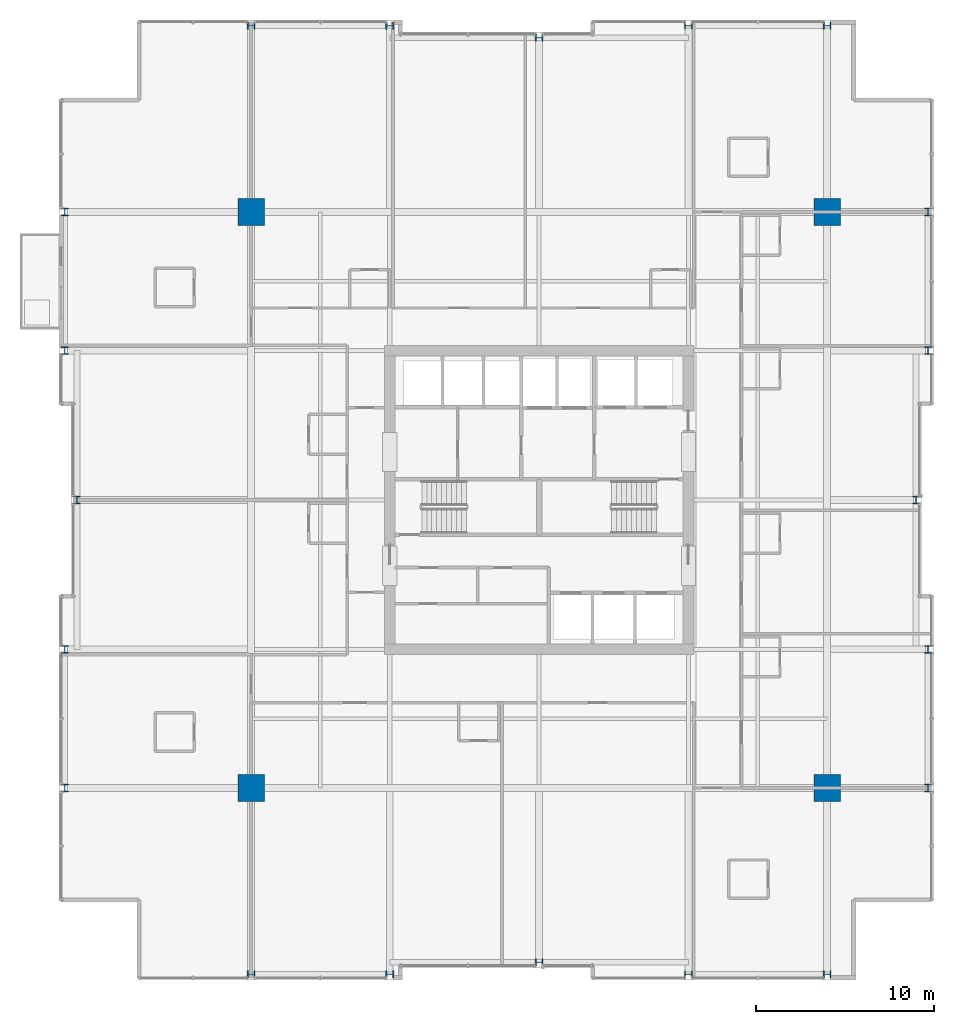
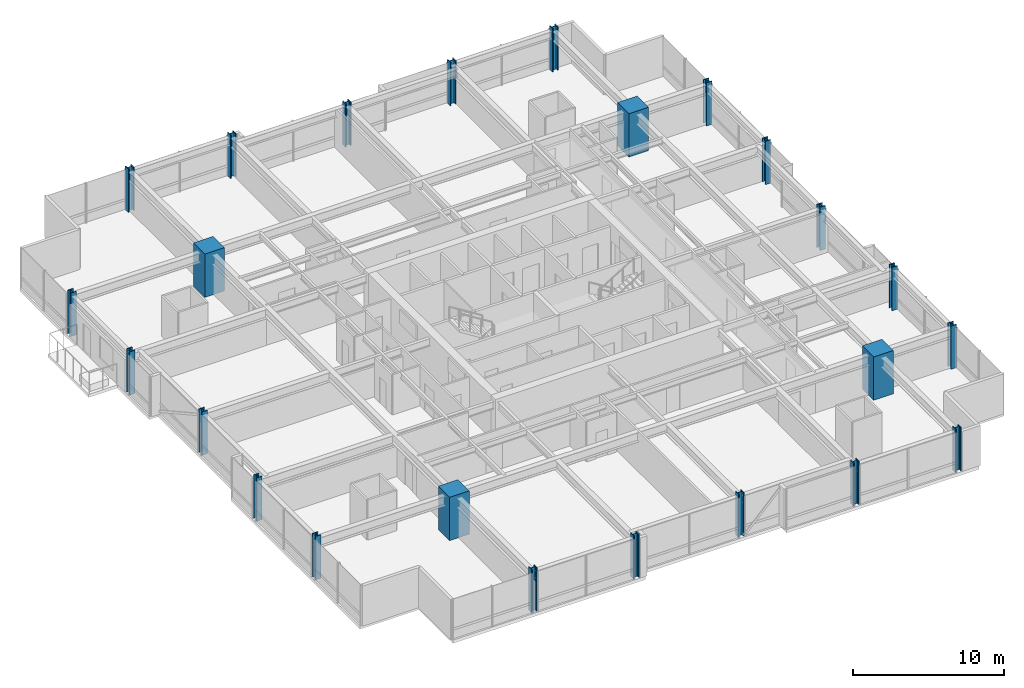
# One storey, part 1 of 34: 24 columns.
"""IFC4 building model written with IfcOpenShell, lengths in metres."""

from ifc_helpers import new_model, si_unit, direction, frame, origin, origin_2d, place, context, subcontext, project, spatial, rectangle, i_section, extrude, material, material_profile, profile_set, type_object, element, save


model = new_model("IFC4")

# Units and contexts
model_context = context("Model", 3, precision=1e-05, world=origin(), true_north=direction((0.0, 1.0)))
body_context = subcontext(model_context, "Body", "Model", "MODEL_VIEW")
ifc_project = project(units=[si_unit("LENGTHUNIT", "METRE"), si_unit("AREAUNIT", "SQUARE_METRE"), si_unit("VOLUMEUNIT", "CUBIC_METRE"), si_unit("PLANEANGLEUNIT", "RADIAN"), si_unit("MASSUNIT", "GRAM", prefix="KILO")], contexts=[model_context])

# Site, building, storey
site_placement = place(None, origin())
site = spatial("IfcSite", under=ifc_project, at=site_placement, CompositionType="ELEMENT")
building_placement = place(site_placement, origin())
building = spatial("IfcBuilding", under=site, at=building_placement, Name="Drelvath Grand Hotel", CompositionType="ELEMENT")
storey_placement = place(building_placement, frame((0.0, 0.0, 109.300048828125)))
storey = spatial("IfcBuildingStorey", under=building, at=storey_placement, Name="L27", CompositionType="ELEMENT", Elevation=109.300048828125)

# Columns
ifc_material_1 = material(Name="Concrete f'c 70 MPa", Category="concrete")
ifc_material_profile_1 = material_profile(ifc_material_1, rectangle(XDim=1.5, YDim=1.5, at=origin_2d()), Name="MC1500X1500")
ifc_profile_set_1 = profile_set([ifc_material_profile_1], Name="Concrete f'c 70 MPa")
column_type_1 = type_object("IfcColumnType", Name="Composite Mega Column MC1500X1500", PredefinedType="COLUMN", material=ifc_profile_set_1)
for number, where, z_axis, x_axis, name in (
    (1, (-16.199951171875, 10.800048828125, 0.0), (0.0, 0.0, 1.0), (1.0, 0.0, 0.0), "L27 Composite Mega Column MC-SW"),
    (2, (16.199951171875, 10.800048828125, 0.0), (0.0, 0.0, 1.0), (1.0, 0.0, 0.0), "L27 Composite Mega Column MC-SE"),
    (3, (-16.199951171875, 43.199951171875, 0.0), (0.0, 0.0, 1.0), (1.0, 0.0, 0.0), "L27 Composite Mega Column MC-NW"),
    (4, (16.199951171875, 43.199951171875, 0.0), (0.0, 0.0, 1.0), (1.0, 0.0, 0.0), "L27 Composite Mega Column MC-NE"),
):
    element("IfcColumn", number, at=place(storey_placement, frame(where, z_axis=z_axis, x_axis=x_axis)), inside=storey, type_object=column_type_1, Name=name, PredefinedType="COLUMN", context=body_context, shape_type="SweptSolid", body=[
        extrude(rectangle(XDim=1.5, YDim=1.5, at=origin_2d()), origin(), (0.0, 0.0, 1.0), 3.5),
    ])
ifc_material_2 = material(Name="Steel ASTM A913 Gr 65", Category="steel")
ifc_material_profile_2 = material_profile(ifc_material_2, i_section(OverallWidth=0.41845703125, OverallDepth=0.455078125, WebThickness=0.0419921875, FlangeThickness=0.067626953125, FilletRadius=0.030029296875, at=origin_2d()), Name="W14X370")
ifc_profile_set_2 = profile_set([ifc_material_profile_2], Name="Steel ASTM A913 Gr 65")
column_type_2 = type_object("IfcColumnType", Name="Perimeter Steel Column W14X370", PredefinedType="COLUMN", material=ifc_profile_set_2)
for number, where, z_axis, x_axis, name in (
    (5, (-26.679931640625, 10.800048828125, 0.0), (0.0, 0.0, 1.0), (1.0, 0.0, 0.0), "L27 Structural Column TCW-C"),
    (6, (21.8798828125, 10.800048828125, 0.0), (0.0, 0.0, 1.0), (1.0, 0.0, 0.0), "L27 Structural Column TCE-C"),
    (7, (-26.679931640625, 18.60009765625, 0.0), (0.0, 0.0, 1.0), (1.0, 0.0, 0.0), "L27 Structural Column TCW-D"),
    (8, (21.8798828125, 18.60009765625, 0.0), (0.0, 0.0, 1.0), (1.0, 0.0, 0.0), "L27 Structural Column TCE-D"),
    (9, (-26.0, 27.0, 0.0), (0.0, 0.0, 1.0), (1.0, 0.0, 0.0), "L27 Structural Column TCW-E"),
    (10, (21.199951171875, 27.0, 0.0), (0.0, 0.0, 1.0), (1.0, 0.0, 0.0), "L27 Structural Column TCE-E"),
    (11, (-26.679931640625, 35.39990234375, 0.0), (0.0, 0.0, 1.0), (1.0, 0.0, 0.0), "L27 Structural Column TCW-F"),
    (12, (21.8798828125, 35.39990234375, 0.0), (0.0, 0.0, 1.0), (1.0, 0.0, 0.0), "L27 Structural Column TCE-F"),
    (13, (-26.679931640625, 43.199951171875, 0.0), (0.0, 0.0, 1.0), (1.0, 0.0, 0.0), "L27 Structural Column TCW-G"),
    (14, (21.8798828125, 43.199951171875, 0.0), (0.0, 0.0, 1.0), (1.0, 0.0, 0.0), "L27 Structural Column TCE-G"),
    (15, (-16.199951171875, 0.320068359375, 0.0), (0.0, 0.0, 1.0), (0.0, 1.0, 0.0), "L27 Structural Column TCS-3"),
    (16, (-16.199951171875, 53.679931640625, 0.0), (0.0, 0.0, 1.0), (0.0, 1.0, 0.0), "L27 Structural Column TCN-3"),
    (17, (-8.39990234375, 0.320068359375, 0.0), (0.0, 0.0, 1.0), (0.0, 1.0, 0.0), "L27 Structural Column TCS-4"),
    (18, (-8.39990234375, 53.679931640625, 0.0), (0.0, 0.0, 1.0), (0.0, 1.0, 0.0), "L27 Structural Column TCN-4"),
    (19, (0.0, 1.0, 0.0), (0.0, 0.0, 1.0), (0.0, 1.0, 0.0), "L27 Structural Column TCS-5"),
    (20, (0.0, 53.0, 0.0), (0.0, 0.0, 1.0), (0.0, 1.0, 0.0), "L27 Structural Column TCN-5"),
    (21, (8.39990234375, 0.320068359375, 0.0), (0.0, 0.0, 1.0), (0.0, 1.0, 0.0), "L27 Structural Column TCS-6"),
    (22, (8.39990234375, 53.679931640625, 0.0), (0.0, 0.0, 1.0), (0.0, 1.0, 0.0), "L27 Structural Column TCN-6"),
    (23, (16.199951171875, 0.320068359375, 0.0), (0.0, 0.0, 1.0), (0.0, 1.0, 0.0), "L27 Structural Column TCS-7"),
    (24, (16.199951171875, 53.679931640625, 0.0), (0.0, 0.0, 1.0), (0.0, 1.0, 0.0), "L27 Structural Column TCN-7"),
):
    element("IfcColumn", number, at=place(storey_placement, frame(where, z_axis=z_axis, x_axis=x_axis)), inside=storey, type_object=column_type_2, Name=name, PredefinedType="COLUMN", context=body_context, shape_type="SweptSolid", body=[
        extrude(i_section(OverallWidth=0.41845703125, OverallDepth=0.455078125, WebThickness=0.0419921875, FlangeThickness=0.067626953125, FilletRadius=0.030029296875, at=origin_2d()), origin(), (0.0, 0.0, 1.0), 3.4970703125),
    ])

save(model, "model.ifc")
